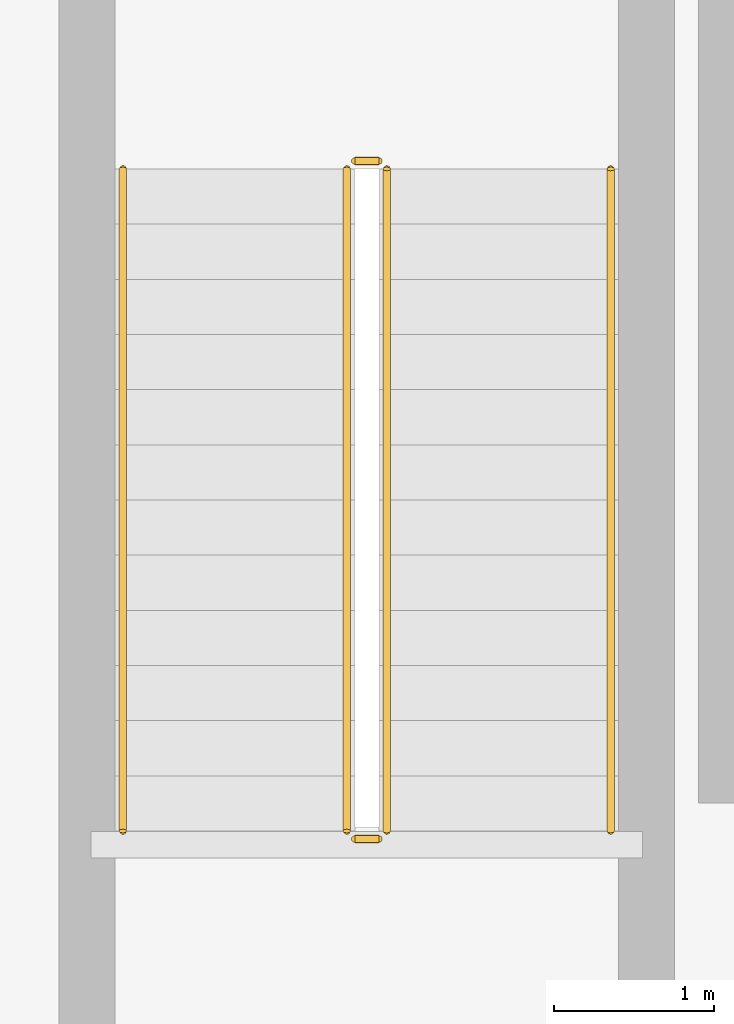
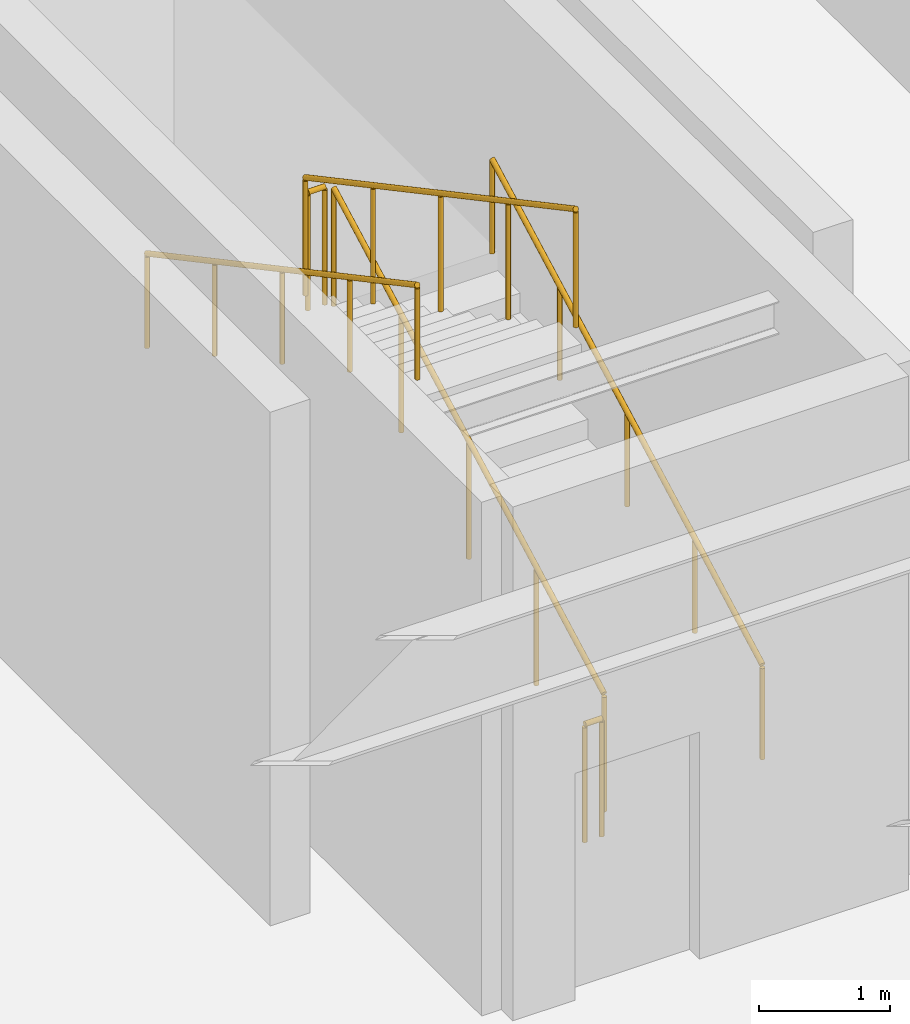
# One storey, part 7 of 9: 6 railings.
"""IFC4 building model written with IfcOpenShell, lengths in metres."""

from ifc_helpers import new_model, si_unit, direction, frame, origin, origin_2d, place, context, subcontext, project, spatial, circle, extrude, material, type_object, element, save


model = new_model("IFC4")

# Units and contexts
model_context = context("Model", 3, precision=1e-05, world=origin(), true_north=direction((0.0, 1.0)))
body_context = subcontext(model_context, "Body", "Model", "MODEL_VIEW")
ifc_project = project(units=[si_unit("LENGTHUNIT", "METRE"), si_unit("AREAUNIT", "SQUARE_METRE"), si_unit("VOLUMEUNIT", "CUBIC_METRE"), si_unit("PLANEANGLEUNIT", "RADIAN"), si_unit("MASSUNIT", "GRAM", prefix="KILO")], contexts=[model_context])

# Site, building, storey
site_placement = place(None, origin())
site = spatial("IfcSite", under=ifc_project, at=site_placement, CompositionType="ELEMENT")
building_placement = place(site_placement, origin())
building = spatial("IfcBuilding", under=site, at=building_placement, Name="Tolvann Quenvar Hotel", CompositionType="ELEMENT")
storey_placement = place(building_placement, frame((0.0, 0.0, -4.800048828125)))
storey = spatial("IfcBuildingStorey", under=building, at=storey_placement, Name="B01", CompositionType="ELEMENT", Elevation=-4.800048828125)

# Railings
ifc_material = material(Name="Brushed 316 stainless steel balustrade and handrail", Category="steel")
railing_type_1 = type_object("IfcRailingType", Name="GUARDRAIL", PredefinedType="GUARDRAIL", material=ifc_material)
railing_1_placement = place(storey_placement, frame((1.60009765625, 34.050048828125, 0.1845703125)))
element("IfcRailing", 1, at=railing_1_placement, inside=storey, type_object=railing_type_1, Name="B01 ST-B1 stair guard 1", PredefinedType="GUARDRAIL", context=body_context, shape_type="SweptSolid", body=[
    extrude(circle(Radius=0.02392578125, at=origin_2d()), frame((0.0, 0.0, 1.09619140625), z_axis=(0.0, 0.881676999658, 0.4718534394), x_axis=(-1.0, 0.0, 0.0)), (0.0, 0.0, 1.0), 4.695556640625),
    extrude(circle(Radius=0.02099609375, at=origin_2d()), origin(), (0.0, 0.0, 1.0), 1.072021484375),
    extrude(circle(Radius=0.02099609375, at=origin_2d()), frame((0.0, 1.034912109375, 0.553955078125)), (0.0, 0.0, 1.0), 1.072021484375),
    extrude(circle(Radius=0.02099609375, at=origin_2d()), frame((0.0, 2.06982421875, 1.10791015625)), (0.0, 0.0, 1.0), 1.072021484375),
    extrude(circle(Radius=0.02099609375, at=origin_2d()), frame((0.0, 3.10498046875, 1.66162109375)), (0.0, 0.0, 1.0), 1.072021484375),
    extrude(circle(Radius=0.02099609375, at=origin_2d()), frame((0.0, 4.139892578125, 2.215576171875)), (0.0, 0.0, 1.0), 1.072021484375),
])
railing_2_placement = place(storey_placement, frame((1.550048828125, 38.239990234375, 2.400146484375)))
element("IfcRailing", 2, at=railing_2_placement, inside=storey, type_object=railing_type_1, Name="B01 ST-B1 stair guard 2", PredefinedType="GUARDRAIL", context=body_context, shape_type="SweptSolid", body=[
    extrude(circle(Radius=0.02392578125, at=origin_2d()), frame((0.0, 0.0, 1.09619140625), z_axis=(-1.0, 0.0, 0.0), x_axis=(0.0, -1.0, 0.0)), (0.0, 0.0, 1.0), 0.150146484375),
    extrude(circle(Radius=0.02099609375, at=origin_2d()), origin(), (0.0, 0.0, 1.0), 1.072021484375),
    extrude(circle(Radius=0.02099609375, at=origin_2d()), frame((-0.150146484375, 0.0, 0.0)), (0.0, 0.0, 1.0), 1.072021484375),
])
railing_3_placement = place(storey_placement, frame((1.35009765625, 38.18994140625, 2.584716796875)))
element("IfcRailing", 3, at=railing_3_placement, inside=storey, type_object=railing_type_1, Name="B01 ST-B1 stair guard 3", PredefinedType="GUARDRAIL", context=body_context, shape_type="SweptSolid", body=[
    extrude(circle(Radius=0.02392578125, at=origin_2d()), frame((0.0, 0.0, 1.09619140625), z_axis=(0.0, -0.881698630289, 0.471813019475), x_axis=(1.0, 0.0, 0.0)), (0.0, 0.0, 1.0), 4.6953125),
    extrude(circle(Radius=0.02099609375, at=origin_2d()), origin(), (0.0, 0.0, 1.0), 1.072021484375),
    extrude(circle(Radius=0.02099609375, at=origin_2d()), frame((0.0, -1.034912109375, 0.5537109375)), (0.0, 0.0, 1.0), 1.072021484375),
    extrude(circle(Radius=0.02099609375, at=origin_2d()), frame((0.0, -2.06982421875, 1.107666015625)), (0.0, 0.0, 1.0), 1.072021484375),
    extrude(circle(Radius=0.02099609375, at=origin_2d()), frame((0.0, -3.10498046875, 1.66162109375)), (0.0, 0.0, 1.0), 1.072021484375),
    extrude(circle(Radius=0.02099609375, at=origin_2d()), frame((0.0, -4.139892578125, 2.21533203125)), (0.0, 0.0, 1.0), 1.072021484375),
])
railing_4_placement = place(storey_placement, frame((1.550048828125, 34.0, 0.0)))
element("IfcRailing", 4, at=railing_4_placement, inside=storey, type_object=railing_type_1, Name="B01 ST-B1 stair guard 4", PredefinedType="GUARDRAIL", context=body_context, shape_type="SweptSolid", body=[
    extrude(circle(Radius=0.02392578125, at=origin_2d()), frame((0.0, 0.0, 1.09619140625), z_axis=(-1.0, 0.0, 0.0), x_axis=(0.0, -1.0, 0.0)), (0.0, 0.0, 1.0), 0.150146484375),
    extrude(circle(Radius=0.02099609375, at=origin_2d()), origin(), (0.0, 0.0, 1.0), 1.072021484375),
    extrude(circle(Radius=0.02099609375, at=origin_2d()), frame((-0.150146484375, 0.0, 0.0)), (0.0, 0.0, 1.0), 1.072021484375),
])
railing_type_2 = type_object("IfcRailingType", Name="HANDRAIL", PredefinedType="HANDRAIL", material=ifc_material)
railing_5_placement = place(storey_placement, frame((3.0, 34.050048828125, 0.1845703125)))
element("IfcRailing", 5, at=railing_5_placement, inside=storey, type_object=railing_type_2, Name="B01 ST-B1 stair handrail 1", PredefinedType="HANDRAIL", context=body_context, shape_type="SweptSolid", body=[
    extrude(circle(Radius=0.02392578125, at=origin_2d()), frame((0.0, 0.0, 0.8759765625), z_axis=(0.0, 0.881676999658, 0.4718534394), x_axis=(-1.0, 0.0, 0.0)), (0.0, 0.0, 1.0), 4.695556640625),
    extrude(circle(Radius=0.02099609375, at=origin_2d()), origin(), (0.0, 0.0, 1.0), 0.851806640625),
    extrude(circle(Radius=0.02099609375, at=origin_2d()), frame((0.0, 1.034912109375, 0.553955078125)), (0.0, 0.0, 1.0), 0.851806640625),
    extrude(circle(Radius=0.02099609375, at=origin_2d()), frame((0.0, 2.06982421875, 1.10791015625)), (0.0, 0.0, 1.0), 0.851806640625),
    extrude(circle(Radius=0.02099609375, at=origin_2d()), frame((0.0, 3.10498046875, 1.66162109375)), (0.0, 0.0, 1.0), 0.851806640625),
    extrude(circle(Radius=0.02099609375, at=origin_2d()), frame((0.0, 4.139892578125, 2.215576171875)), (0.0, 0.0, 1.0), 0.851806640625),
])
railing_6_placement = place(storey_placement, frame((-0.050048828125, 38.18994140625, 2.584716796875)))
element("IfcRailing", 6, at=railing_6_placement, inside=storey, type_object=railing_type_2, Name="B01 ST-B1 stair handrail 2", PredefinedType="HANDRAIL", context=body_context, shape_type="SweptSolid", body=[
    extrude(circle(Radius=0.02392578125, at=origin_2d()), frame((0.0, 0.0, 0.8759765625), z_axis=(0.0, -0.881698630289, 0.471813019475), x_axis=(1.0, 0.0, 0.0)), (0.0, 0.0, 1.0), 4.6953125),
    extrude(circle(Radius=0.02099609375, at=origin_2d()), origin(), (0.0, 0.0, 1.0), 0.851806640625),
    extrude(circle(Radius=0.02099609375, at=origin_2d()), frame((0.0, -1.034912109375, 0.5537109375)), (0.0, 0.0, 1.0), 0.851806640625),
    extrude(circle(Radius=0.02099609375, at=origin_2d()), frame((0.0, -2.06982421875, 1.107666015625)), (0.0, 0.0, 1.0), 0.851806640625),
    extrude(circle(Radius=0.02099609375, at=origin_2d()), frame((0.0, -3.10498046875, 1.66162109375)), (0.0, 0.0, 1.0), 0.851806640625),
    extrude(circle(Radius=0.02099609375, at=origin_2d()), frame((0.0, -4.139892578125, 2.21533203125)), (0.0, 0.0, 1.0), 0.851806640625),
])

save(model, "model.ifc")
